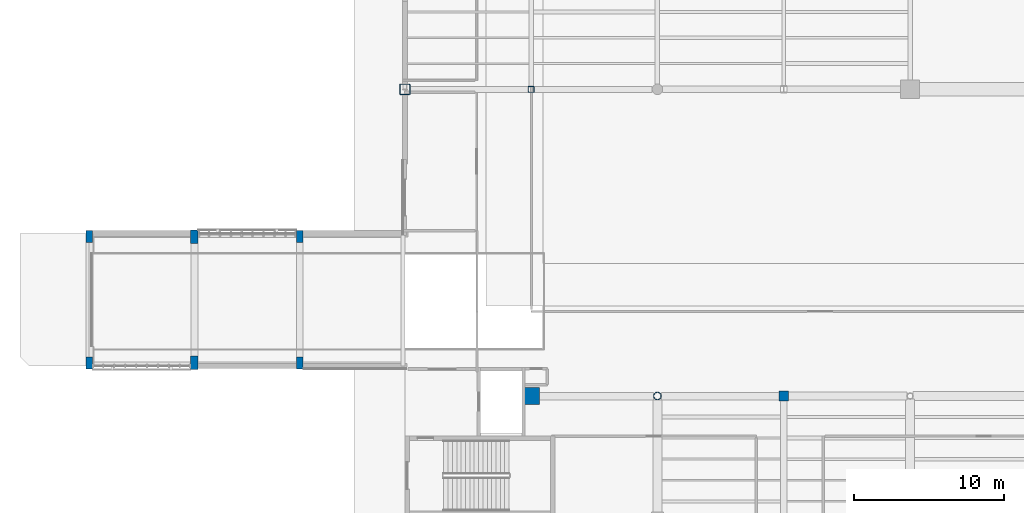
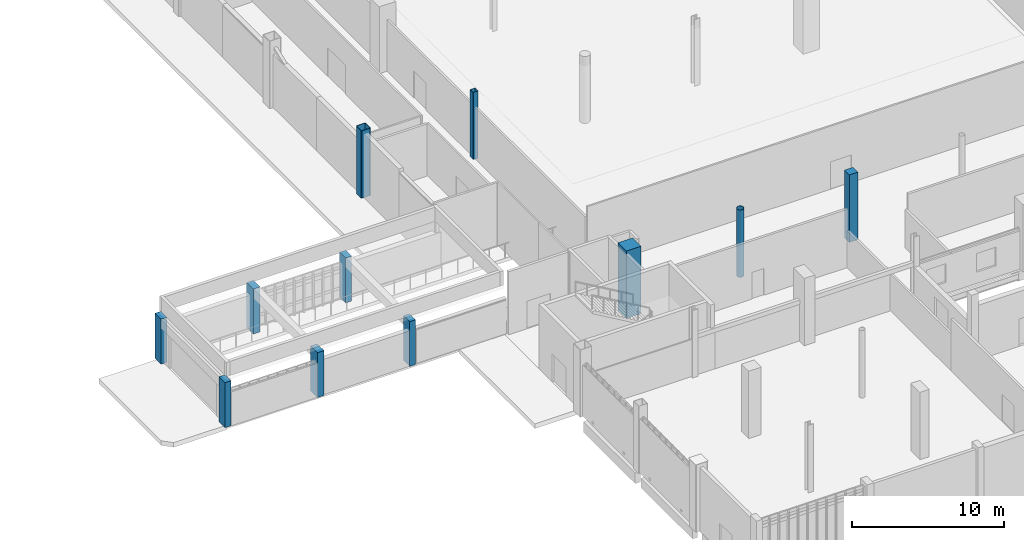
# One storey, part 2 of 111: 11 columns.
"""IFC4 building model written with IfcOpenShell, lengths in metres."""

from ifc_helpers import new_model, si_unit, direction, frame, origin, origin_2d, place, context, subcontext, project, spatial, rectangle, hollow_rectangle, hollow_circle, extrude, material, material_profile, profile_set, type_object, element, save


model = new_model("IFC4")

# Units and contexts
model_context = context("Model", 3, precision=1e-05, world=origin(), true_north=direction((0.0, 1.0)))
body_context = subcontext(model_context, "Body", "Model", "MODEL_VIEW")
ifc_project = project(units=[si_unit("LENGTHUNIT", "METRE"), si_unit("AREAUNIT", "SQUARE_METRE"), si_unit("VOLUMEUNIT", "CUBIC_METRE"), si_unit("PLANEANGLEUNIT", "RADIAN"), si_unit("MASSUNIT", "GRAM", prefix="KILO")], contexts=[model_context])

# Site, building, storey
site_placement = place(None, origin())
site = spatial("IfcSite", under=ifc_project, at=site_placement, CompositionType="ELEMENT")
building_placement = place(site_placement, origin())
building = spatial("IfcBuilding", under=site, at=building_placement, Name="Larkvane Passage Sports Hall", CompositionType="ELEMENT")
storey_placement = place(building_placement, origin())
storey = spatial("IfcBuildingStorey", under=building, at=storey_placement, Name="L00", CompositionType="ELEMENT", Elevation=0.0)

# Columns
ifc_material_1 = material(Name="Concrete C50/60", Category="concrete")
ifc_material_profile_1 = material_profile(ifc_material_1, rectangle(XDim=1.10009765625, YDim=1.10009765625, at=origin_2d()), Name="RC-COL-1100x1100")
ifc_profile_set_1 = profile_set([ifc_material_profile_1], Name="Concrete C50/60")
column_type_1 = type_object("IfcColumnType", Name="COL-RC-1100", PredefinedType="COLUMN", material=ifc_profile_set_1)
column_1_placement = place(storey_placement, frame((43.199951171875, 31.199951171875, 0.0), z_axis=(0.0, 0.0, 1.0), x_axis=(1.0, 0.0, 0.0)))
element("IfcColumn", 1, at=column_1_placement, inside=storey, type_object=column_type_1, Name="Column 7/E L00", PredefinedType="COLUMN", context=body_context, shape_type="SweptSolid", body=[
    extrude(rectangle(XDim=1.10009765625, YDim=1.10009765625, at=origin_2d()), origin(), (0.0, 0.0, 1.0), 5.39990234375),
])
ifc_material_2 = material(Name="Concrete C40/50", Category="concrete")
ifc_material_profile_2 = material_profile(ifc_material_2, rectangle(XDim=0.64990234375, YDim=0.64990234375, at=origin_2d()), Name="RC-COL-650x650")
ifc_profile_set_2 = profile_set([ifc_material_profile_2], Name="Concrete C40/50")
column_type_2 = type_object("IfcColumnType", Name="COL-RC-650", PredefinedType="COLUMN", material=ifc_profile_set_2)
column_2_placement = place(storey_placement, frame((60.0, 31.199951171875, 0.0), z_axis=(0.0, 0.0, 1.0), x_axis=(1.0, 0.0, 0.0)))
element("IfcColumn", 2, at=column_2_placement, inside=storey, type_object=column_type_2, Name="Column 9/E L00", PredefinedType="COLUMN", context=body_context, shape_type="SweptSolid", body=[
    extrude(rectangle(XDim=0.64990234375, YDim=0.64990234375, at=origin_2d()), origin(), (0.0, 0.0, 1.0), 5.39990234375),
])
ifc_material_3 = material(Name="Steel S460N", Category="steel")
ifc_material_profile_3 = material_profile(ifc_material_3, hollow_rectangle(XDim=0.699951171875, YDim=0.699951171875, WallThickness=0.028076171875, InnerFilletRadius=0.028076171875, OuterFilletRadius=0.055908203125, at=origin_2d()), Name="BOX-700x700x28")
ifc_profile_set_3 = profile_set([ifc_material_profile_3], Name="Steel S460N")
column_type_3 = type_object("IfcColumnType", Name="COL-STL-BOX700", PredefinedType="COLUMN", material=ifc_profile_set_3)
column_3_placement = place(storey_placement, frame((34.800048828125, 51.60009765625, 0.0), z_axis=(0.0, 0.0, 1.0), x_axis=(1.0, 0.0, 0.0)))
element("IfcColumn", 3, at=column_3_placement, inside=storey, type_object=column_type_3, Name="Column 6/G L00", PredefinedType="COLUMN", context=body_context, shape_type="SweptSolid", body=[
    extrude(hollow_rectangle(XDim=0.699951171875, YDim=0.699951171875, WallThickness=0.028076171875, InnerFilletRadius=0.028076171875, OuterFilletRadius=0.055908203125, at=origin_2d()), origin(), (0.0, 0.0, 1.0), 5.39990234375),
])
ifc_material_profile_4 = material_profile(ifc_material_3, hollow_circle(Radius=0.25390625, WallThickness=0.01904296875, at=origin_2d()), Name="CHS-508.0x19.0")
ifc_profile_set_4 = profile_set([ifc_material_profile_4], Name="Steel S460N")
column_type_4 = type_object("IfcColumnType", Name="COL-STL-CHS508", PredefinedType="COLUMN", material=ifc_profile_set_4)
column_4_placement = place(storey_placement, frame((51.60009765625, 31.199951171875, 0.0), z_axis=(0.0, 0.0, 1.0), x_axis=(1.0, 0.0, 0.0)))
element("IfcColumn", 4, at=column_4_placement, inside=storey, type_object=column_type_4, Name="Column 8/E L00", PredefinedType="COLUMN", context=body_context, shape_type="SweptSolid", body=[
    extrude(hollow_circle(Radius=0.25390625, WallThickness=0.01904296875, at=origin_2d()), origin(), (0.0, 0.0, 1.0), 5.39990234375),
])
ifc_material_profile_5 = material_profile(ifc_material_3, hollow_rectangle(XDim=0.39990234375, YDim=0.39990234375, WallThickness=0.01904296875, InnerFilletRadius=0.01904296875, OuterFilletRadius=0.0380859375, at=origin_2d()), Name="SHS-400x400x19")
ifc_profile_set_5 = profile_set([ifc_material_profile_5], Name="Steel S460N")
column_type_5 = type_object("IfcColumnType", Name="COL-STL-SHS400", PredefinedType="COLUMN", material=ifc_profile_set_5)
column_5_placement = place(storey_placement, frame((43.199951171875, 51.60009765625, 0.0), z_axis=(0.0, 0.0, 1.0), x_axis=(1.0, 0.0, 0.0)))
element("IfcColumn", 5, at=column_5_placement, inside=storey, type_object=column_type_5, Name="Column 7/G L00", PredefinedType="COLUMN", context=body_context, shape_type="SweptSolid", body=[
    extrude(hollow_rectangle(XDim=0.39990234375, YDim=0.39990234375, WallThickness=0.01904296875, InnerFilletRadius=0.01904296875, OuterFilletRadius=0.0380859375, at=origin_2d()), origin(), (0.0, 0.0, 1.0), 5.39990234375),
])
ifc_material_profile_6 = material_profile(ifc_material_2, rectangle(XDim=0.449951171875, YDim=0.800048828125, at=origin_2d()), Name="RC-PIL-450x800")
ifc_profile_set_6 = profile_set([ifc_material_profile_6], Name="Concrete C40/50")
column_type_6 = type_object("IfcColumnType", Name="PIL-RC-450x800", PredefinedType="PILASTER", material=ifc_profile_set_6)
for number, where, z_axis, x_axis, name in (
    (6, (13.800048828125, 33.39990234375, 0.0), (0.0, 0.0, 1.0), (1.0, 0.0, 0.0), "Ramp portal pilaster 3/S L00"),
    (7, (13.800048828125, 41.800048828125, 0.0), (0.0, 0.0, 1.0), (1.0, 0.0, 0.0), "Ramp portal pilaster 3/N L00"),
    (8, (27.800048828125, 33.39990234375, 0.0), (0.0, 0.0, 1.0), (1.0, 0.0, 0.0), "Ramp portal pilaster 5/S L00"),
    (9, (27.800048828125, 41.800048828125, 0.0), (0.0, 0.0, 1.0), (1.0, 0.0, 0.0), "Ramp portal pilaster 5/N L00"),
):
    element("IfcColumn", number, at=place(storey_placement, frame(where, z_axis=z_axis, x_axis=x_axis)), inside=storey, type_object=column_type_6, Name=name, PredefinedType="PILASTER", context=body_context, shape_type="SweptSolid", body=[
        extrude(rectangle(XDim=0.449951171875, YDim=0.800048828125, at=origin_2d()), origin(), (0.0, 0.0, 1.0), 3.60009765625),
    ])
ifc_material_profile_7 = material_profile(ifc_material_2, rectangle(XDim=0.5, YDim=0.89990234375, at=origin_2d()), Name="RC-PIL-500x900")
ifc_profile_set_7 = profile_set([ifc_material_profile_7], Name="Concrete C40/50")
column_type_7 = type_object("IfcColumnType", Name="PIL-RC-500x900", PredefinedType="PILASTER", material=ifc_profile_set_7)
for number, where, z_axis, x_axis, name in (
    (10, (20.800048828125, 33.39990234375, 0.0), (0.0, 0.0, 1.0), (1.0, 0.0, 0.0), "Ramp portal pilaster 4/S L00"),
    (11, (20.800048828125, 41.800048828125, 0.0), (0.0, 0.0, 1.0), (1.0, 0.0, 0.0), "Ramp portal pilaster 4/N L00"),
):
    element("IfcColumn", number, at=place(storey_placement, frame(where, z_axis=z_axis, x_axis=x_axis)), inside=storey, type_object=column_type_7, Name=name, PredefinedType="PILASTER", context=body_context, shape_type="SweptSolid", body=[
        extrude(rectangle(XDim=0.5, YDim=0.89990234375, at=origin_2d()), origin(), (0.0, 0.0, 1.0), 3.60009765625),
    ])

save(model, "model.ifc")
